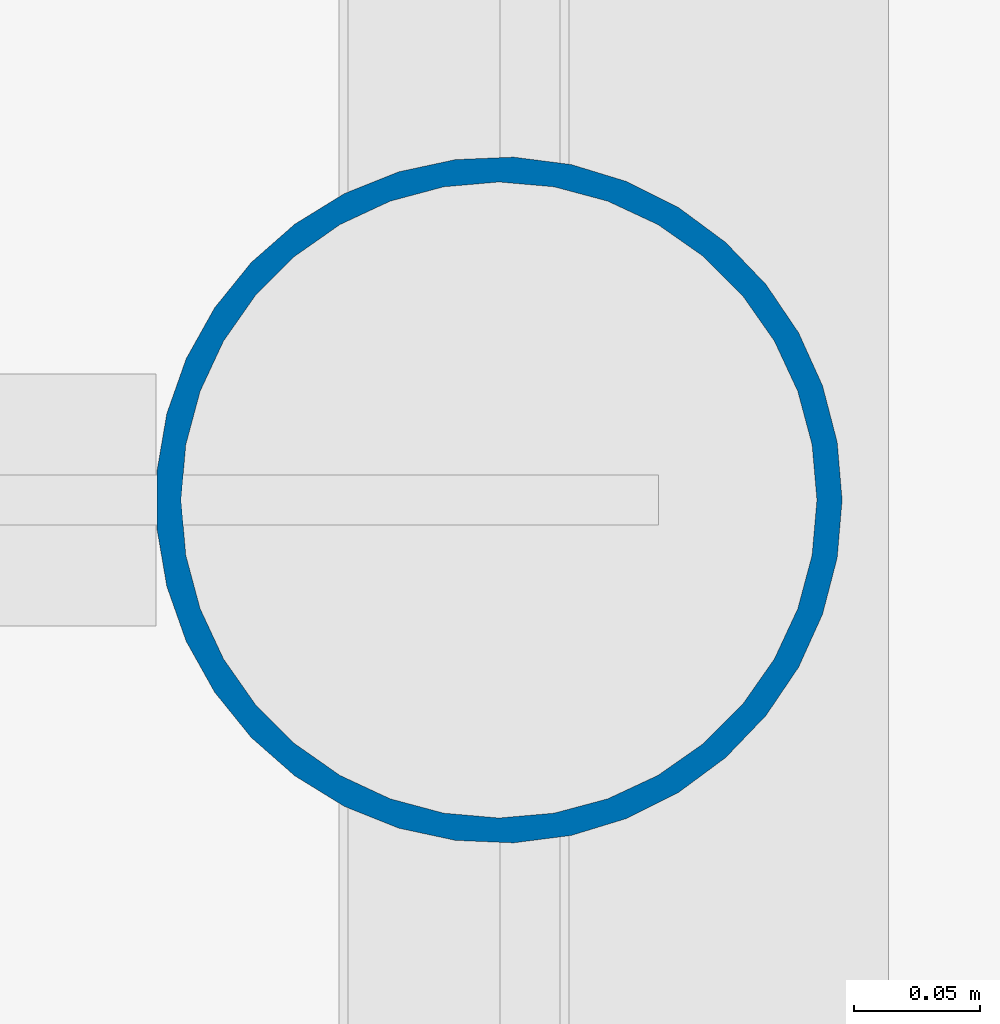
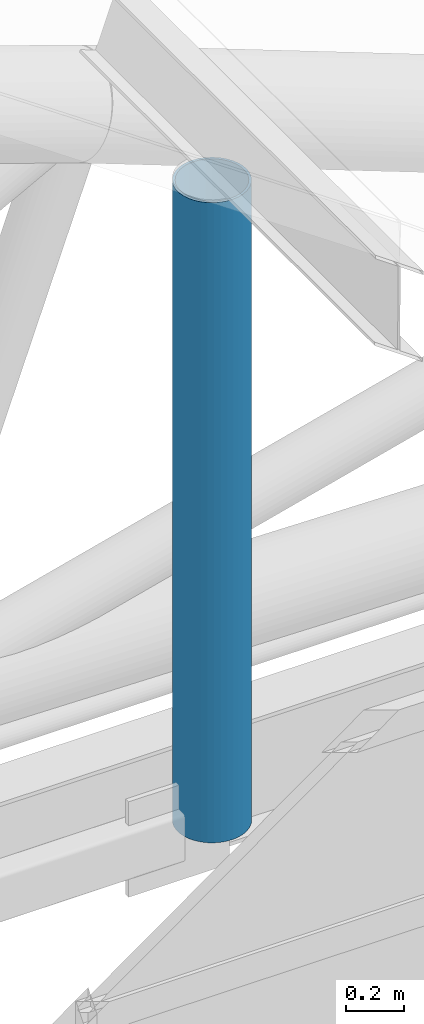
# One storey, part 9 of 321: 1 column.
"""IFC4 building model written with IfcOpenShell, lengths in metres."""

import ifcopenshell
import ifcopenshell.guid

model = None  # the IFC model being written
_history = None  # IfcOwnerHistory: only IFC2X3 demands one
_inside = {}  # id of a spatial element -> (the spatial element, [elements in it])
_under = {}  # id of a project, library or spatial element -> (it, [spatial elements below it])
_declared = {}  # id of a project -> (the project, [libraries it declares])
_typed = {}  # id of a type object -> (the type object, [elements of that type])
_made_of = {}  # id of a material, layer set ... -> (it, [elements and type objects made of it])


def new_model(schema):
    """Start an empty IFC model of exactly this schema.

    Asked for "IFC4X3", IfcOpenShell would pick the latest addendum, in which some entities
    have other attributes; the version numbers below select the first issue.
    IFC2X3 requires an IfcOwnerHistory on every rooted entity: one is made here for all.
    """
    global model, _history
    if schema == "IFC4X3":
        model = ifcopenshell.file(schema_version=(4, 3, 0, 0))
    else:
        model = ifcopenshell.file(schema=schema)
    _inside.clear()
    _under.clear()
    _declared.clear()
    _typed.clear()
    _made_of.clear()
    _history = None
    if model.schema == "IFC2X3":
        org = make("IfcOrganization", Name="unknown")
        user = make(
            "IfcPersonAndOrganization",
            ThePerson=make("IfcPerson", FamilyName="unknown"),
            TheOrganization=org,
        )
        app = make(
            "IfcApplication",
            ApplicationDeveloper=org,
            Version="unknown",
            ApplicationFullName="unknown",
            ApplicationIdentifier="unknown",
        )
        _history = make(
            "IfcOwnerHistory",
            OwningUser=user,
            OwningApplication=app,
            ChangeAction="ADDED",
            CreationDate=0,
        )
    return model


def make(cls, **values):
    """One entity of the class cls with the attributes given. An attribute that is None is left unset."""
    return model.create_entity(
        cls, **{name: value for name, value in values.items() if value is not None}
    )


def rooted(cls, **values):
    """An entity with a GlobalId (a new one), such as an element, a storey or a relation."""
    return make(cls, GlobalId=ifcopenshell.guid.new(), OwnerHistory=_history, **values)


def si_unit(unit_type, name, prefix=None):
    """IfcSIUnit, for example si_unit("LENGTHUNIT", "METRE", prefix="MILLI")."""
    return make("IfcSIUnit", UnitType=unit_type, Prefix=prefix, Name=name)


def assignment(units):
    """IfcUnitAssignment: the units of a project."""
    return None if units is None else make("IfcUnitAssignment", Units=units)


def point(xyz):
    """IfcCartesianPoint."""
    return None if xyz is None else make("IfcCartesianPoint", Coordinates=xyz)


def direction(xyz):
    """IfcDirection."""
    return None if xyz is None else make("IfcDirection", DirectionRatios=xyz)


def frame(location, z_axis=None, x_axis=None):
    """IfcAxis2Placement3D, a coordinate frame: its origin and axes. An axis left out is left unset."""
    return make(
        "IfcAxis2Placement3D",
        Location=point(location),
        Axis=direction(z_axis),
        RefDirection=direction(x_axis),
    )


def frame_2d(location, x_axis=None):
    """IfcAxis2Placement2D, a coordinate frame in the plane: its origin and x axis."""
    return make(
        "IfcAxis2Placement2D", Location=point(location), RefDirection=direction(x_axis)
    )


def origin():
    """The frame at (0, 0, 0) with its axes left unset."""
    return frame((0.0, 0.0, 0.0))


def origin_2d():
    """The frame at (0, 0) in the plane with its x axis left unset."""
    return frame_2d((0.0, 0.0))


def place(relative_to, where):
    """IfcLocalPlacement: puts the frame where relative to a parent placement (None: the world)."""
    return make(
        "IfcLocalPlacement", PlacementRelTo=relative_to, RelativePlacement=where
    )


def context(
    kind, dimensions, precision=None, world=None, true_north=None, identifier=None
):
    """IfcGeometricRepresentationContext, for example the 3D "Model" context."""
    return make(
        "IfcGeometricRepresentationContext",
        ContextIdentifier=identifier,
        ContextType=kind,
        CoordinateSpaceDimension=dimensions,
        Precision=precision,
        WorldCoordinateSystem=world,
        TrueNorth=true_north,
    )


def subcontext(parent, identifier, kind, view, scale=None):
    """IfcGeometricRepresentationSubContext, for example "Body" below "Model"."""
    return make(
        "IfcGeometricRepresentationSubContext",
        ContextIdentifier=identifier,
        ContextType=kind,
        ParentContext=parent,
        TargetScale=scale,
        TargetView=view,
    )


def project(units=None, contexts=None):
    """IfcProject with its units and contexts."""
    return rooted(
        "IfcProject",
        Name="project",
        RepresentationContexts=contexts,
        UnitsInContext=assignment(units),
    )


def spatial(cls, under=None, at=None, **own):
    """A site, building, storey or space (cls), placed at a placement, below another one or the project."""
    s = rooted(cls, ObjectPlacement=at, **own)
    if under is not None:
        _under.setdefault(under.id(), (under, []))[1].append(s)
    return s


def profile(cls, at=None, kind="AREA", **sizes):
    """A parametric profile (cls). Its sizes go by their IFC names, for example OverallWidth=200.0."""
    return make(cls, ProfileType=kind, Position=at, **sizes)


def hollow_circle(**sizes):
    """IfcCircleHollowProfileDef."""
    return profile("IfcCircleHollowProfileDef", **sizes)


def extrude(swept, where, along, depth):
    """IfcExtrudedAreaSolid: the profile swept, set in the frame where, extruded along a direction by depth."""
    return make(
        "IfcExtrudedAreaSolid",
        SweptArea=swept,
        Position=where,
        ExtrudedDirection=direction(along),
        Depth=depth,
    )


def shape(context_of_items, identifier, shape_type, items):
    """IfcShapeRepresentation: the items that make up one representation, for example the "Body"."""
    return make(
        "IfcShapeRepresentation",
        ContextOfItems=context_of_items,
        RepresentationIdentifier=identifier,
        RepresentationType=shape_type,
        Items=items,
    )


def material(Name=None, Category=None):
    """IfcMaterial."""
    return make("IfcMaterial", Name=Name, Category=Category)


def material_profile(
    of_material, cross_section, Name=None, Category=None, Priority=None
):
    """IfcMaterialProfile: a cross section and its material."""
    return make(
        "IfcMaterialProfile",
        Name=Name,
        Material=of_material,
        Profile=cross_section,
        Priority=Priority,
        Category=Category,
    )


def profile_set(profiles, Name=None, composite=None):
    """IfcMaterialProfileSet."""
    return make(
        "IfcMaterialProfileSet",
        Name=Name,
        MaterialProfiles=profiles,
        CompositeProfile=composite,
    )


def made_of(thing, what):
    """Note that an element or type object is made of a material, layer set ...; save() writes the relation."""
    if what is not None:
        _made_of.setdefault(what.id(), (what, []))[1].append(thing)
    return thing


def type_object(cls, material=None, **own):
    """A type object (cls), such as IfcWallType, which elements share."""
    return made_of(rooted(cls, **own), material)


def element(
    cls,
    number,
    at=None,
    inside=None,
    cuts=None,
    type_object=None,
    material=None,
    context=None,
    identifier="Body",
    shape_type=None,
    held_by="IfcProductDefinitionShape",
    body=None,
    shapes=None,
    **own,
):
    """One element of the class cls, such as IfcWall. Its Tag is "e" and its number.

    at: its placement. inside: the storey or other place that contains it. cuts: it is an
    opening in that element (IfcRelVoidsElement). A single representation is given by context,
    identifier, shape_type and body (its items); several are given by shapes. held_by: the class
    of the entity that holds the representations. save() writes the other relations.
    """
    e = rooted(cls, Tag="e%d" % number, ObjectPlacement=at, **own)
    if body is not None:
        shapes = [shape(context, identifier, shape_type, body)]
    if shapes is not None:
        e.Representation = make(held_by, Representations=shapes)
    if inside is not None:
        _inside.setdefault(inside.id(), (inside, []))[1].append(e)
    if cuts is not None:
        rooted(
            "IfcRelVoidsElement", RelatingBuildingElement=cuts, RelatedOpeningElement=e
        )
    if type_object is not None:
        _typed.setdefault(type_object.id(), (type_object, []))[1].append(e)
    return made_of(e, material)


def aggregate(whole, parts):
    """IfcRelAggregates: a whole, such as a stair, and the parts it consists of."""
    return rooted("IfcRelAggregates", RelatingObject=whole, RelatedObjects=parts)


def save(model, path):
    """Write the relations noted so far, then the file.

    IfcRelAggregates (storeys below a building ...), IfcRelContainedInSpatialStructure (elements
    in a storey), IfcRelDefinesByType, IfcRelAssociatesMaterial and IfcRelDeclares: one each for
    every whole, place, type object, material and project.
    """
    for whole, parts in _under.values():
        aggregate(whole, parts)
    for where, things in _inside.values():
        rooted(
            "IfcRelContainedInSpatialStructure",
            RelatedElements=things,
            RelatingStructure=where,
        )
    for kind, things in _typed.values():
        rooted("IfcRelDefinesByType", RelatedObjects=things, RelatingType=kind)
    for what, things in _made_of.values():
        rooted("IfcRelAssociatesMaterial", RelatedObjects=things, RelatingMaterial=what)
    for by, libraries in _declared.values():
        rooted("IfcRelDeclares", RelatingContext=by, RelatedDefinitions=libraries)
    model.write(path)


model = new_model("IFC4")

# Units and contexts
model_context = context("Model", 3, precision=1e-05, world=origin(), true_north=direction((0.0, 1.0)))
body_context = subcontext(model_context, "Body", "Model", "MODEL_VIEW")
ifc_project = project(units=[si_unit("LENGTHUNIT", "METRE"), si_unit("AREAUNIT", "SQUARE_METRE"), si_unit("VOLUMEUNIT", "CUBIC_METRE"), si_unit("PLANEANGLEUNIT", "RADIAN"), si_unit("MASSUNIT", "GRAM", prefix="KILO")], contexts=[model_context])

# Site, building, storey
site_placement = place(None, origin())
site = spatial("IfcSite", under=ifc_project, at=site_placement, CompositionType="ELEMENT")
building_placement = place(site_placement, origin())
building = spatial("IfcBuilding", under=site, at=building_placement, Name="Ravi Spectrum Wholesale Market", CompositionType="ELEMENT")
storey_placement = place(building_placement, frame((0.0, 0.0, 10.800048828125)))
storey = spatial("IfcBuildingStorey", under=building, at=storey_placement, Name="L02", CompositionType="ELEMENT", Elevation=10.800048828125)

# Column
ifc_material = material(Name="Steel S355", Category="steel")
ifc_material_profile = material_profile(ifc_material, hollow_circle(Radius=0.136474609375, WallThickness=0.010009765625, at=origin_2d()))
ifc_profile_set = profile_set([ifc_material_profile], Name="Steel S355")
column_type = type_object("IfcColumnType", Name="CHS 273x10 column", PredefinedType="COLUMN", material=ifc_profile_set)
column_placement = place(storey_placement, frame((103.697021484375, 197.199951171875, 0.0), z_axis=(0.0, 0.0, 1.0), x_axis=(1.0, 0.0, 0.0)))
element("IfcColumn", 1, at=column_placement, inside=storey, type_object=column_type, Name="H1-COL-L02-011", PredefinedType="COLUMN", context=body_context, shape_type="SweptSolid", body=[
    extrude(hollow_circle(Radius=0.136474609375, WallThickness=0.010009765625, at=origin_2d()), origin(), (0.0, 0.0, 1.0), 2.68310546875),
])

save(model, "model.ifc")
